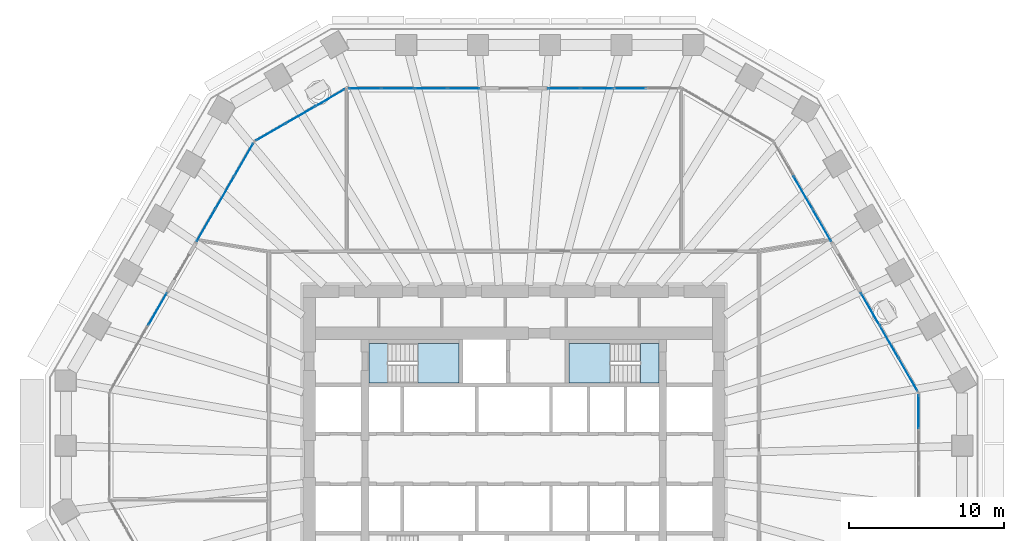
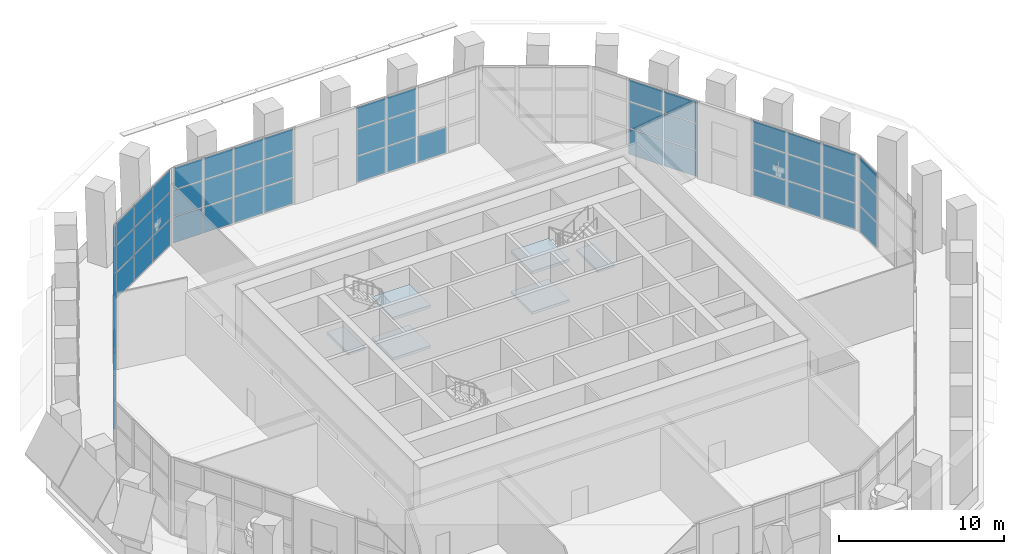
# One storey, part 12 of 22: 58 plates, 6 slabs, 10 elements without a shape of their own.
"""IFC4 building model written with IfcOpenShell, lengths in metres."""

from ifc_helpers import new_model, si_unit, direction, frame, origin, origin_2d, place, context, subcontext, project, spatial, polyline, rectangle, outline, extrude, material, layer, layer_set, type_object, element, aggregate, save


model = new_model("IFC4")

# Units and contexts
model_context = context("Model", 3, precision=1e-05, world=origin(), true_north=direction((0.0, 1.0)))
body_context = subcontext(model_context, "Body", "Model", "MODEL_VIEW")
ifc_project = project(units=[si_unit("LENGTHUNIT", "METRE"), si_unit("AREAUNIT", "SQUARE_METRE"), si_unit("VOLUMEUNIT", "CUBIC_METRE"), si_unit("PLANEANGLEUNIT", "RADIAN"), si_unit("MASSUNIT", "GRAM", prefix="KILO")], contexts=[model_context])

# Site, building, storey
site_placement = place(None, origin())
site = spatial("IfcSite", under=ifc_project, at=site_placement, CompositionType="ELEMENT")
building_placement = place(site_placement, origin())
building = spatial("IfcBuilding", under=site, at=building_placement, Name="Frailejon Research Tower", CompositionType="ELEMENT")
storey_placement = place(building_placement, frame((0.0, 0.0, 107.199951171875)))
storey = spatial("IfcBuildingStorey", under=building, at=storey_placement, Name="L23", CompositionType="ELEMENT", Elevation=107.199951171875)

# Curtain wall, plates
ifc_material_1 = material(Name="Aluminium curtain wall", Category="aluminium")
curtain_wall_type = type_object("IfcCurtainWallType", Name="Sky lobby curtain wall system", PredefinedType="NOTDEFINED", material=ifc_material_1)
curtain_wall_1_placement = place(storey_placement, origin())
curtain_wall_1 = element("IfcCurtainWall", 1, at=curtain_wall_1_placement, inside=storey, type_object=curtain_wall_type, Name="Curtain wall L23", PredefinedType="NOTDEFINED")
ifc_material_2 = material(Name="Clear laminated glass", Category="glass")
ifc_layer_1 = layer(ifc_material_2, 0.031982421875)
ifc_layer_set_1 = layer_set([ifc_layer_1], Name="Sky lobby curtain wall glass panel 32")
plate_type = type_object("IfcPlateType", Name="Sky lobby curtain wall glass panel 32", PredefinedType="CURTAIN_PANEL", material=ifc_layer_set_1)
plate_1_placement = place(storey_placement, frame((26.091796875, 3.037109375, 0.070068359375), z_axis=(0.0, 0.0, 1.0), x_axis=(0.0, 1.0, 0.0)))
plate_1 = element("IfcPlate", 2, at=plate_1_placement, type_object=plate_type, Name="CW4-081 panel 3.1", PredefinedType="CURTAIN_PANEL", context=body_context, shape_type="SweptSolid", body=[
    extrude(rectangle(XDim=2.119873046875, YDim=0.031982421875, at=origin_2d()), origin(), (0.0, 0.0, 1.0), 1.89501953125),
])
plate_2_placement = place(storey_placement, frame((26.091796875, 3.037109375, 2.03515625), z_axis=(0.0, 0.0, 1.0), x_axis=(0.0, 1.0, 0.0)))
plate_2 = element("IfcPlate", 3, at=plate_2_placement, type_object=plate_type, Name="CW4-081 panel 3.2", PredefinedType="CURTAIN_PANEL", context=body_context, shape_type="SweptSolid", body=[
    extrude(rectangle(XDim=2.119873046875, YDim=0.031982421875, at=origin_2d()), origin(), (0.0, 0.0, 1.0), 1.929931640625),
])
plate_3_placement = place(storey_placement, frame((26.091796875, 3.037109375, 4.03515625), z_axis=(0.0, 0.0, 1.0), x_axis=(0.0, 1.0, 0.0)))
plate_3 = element("IfcPlate", 4, at=plate_3_placement, type_object=plate_type, Name="CW4-081 panel 3.3", PredefinedType="CURTAIN_PANEL", context=body_context, shape_type="SweptSolid", body=[
    extrude(rectangle(XDim=2.119873046875, YDim=0.031982421875, at=origin_2d()), origin(), (0.0, 0.0, 1.0), 1.594970703125),
])
aggregate(curtain_wall_1, [plate_1, plate_2, plate_3])

curtain_wall_2_placement = place(storey_placement, origin())
curtain_wall_2 = element("IfcCurtainWall", 5, at=curtain_wall_2_placement, inside=storey, type_object=curtain_wall_type, Name="Curtain wall L23", PredefinedType="NOTDEFINED")
plate_4_placement = place(storey_placement, frame((25.41796875, 5.43408203125, 0.070068359375), z_axis=(0.0, 0.0, 1.0), x_axis=(-0.499994947925, 0.866028320581, 0.0)))
plate_4 = element("IfcPlate", 6, at=plate_4_placement, type_object=plate_type, Name="CW4-082 panel 1.1", PredefinedType="CURTAIN_PANEL", context=body_context, shape_type="SweptSolid", body=[
    extrude(rectangle(XDim=2.355224609375, YDim=0.031982421875, at=origin_2d()), origin(), (0.0, 0.0, 1.0), 1.89501953125),
])
plate_5_placement = place(storey_placement, frame((25.41796875, 5.43408203125, 2.03515625), z_axis=(0.0, 0.0, 1.0), x_axis=(-0.499994947925, 0.866028320581, 0.0)))
plate_5 = element("IfcPlate", 7, at=plate_5_placement, type_object=plate_type, Name="CW4-082 panel 1.2", PredefinedType="CURTAIN_PANEL", context=body_context, shape_type="SweptSolid", body=[
    extrude(rectangle(XDim=2.355224609375, YDim=0.031982421875, at=origin_2d()), origin(), (0.0, 0.0, 1.0), 1.929931640625),
])
plate_6_placement = place(storey_placement, frame((25.41796875, 5.43408203125, 4.03515625), z_axis=(0.0, 0.0, 1.0), x_axis=(-0.499994947925, 0.866028320581, 0.0)))
plate_6 = element("IfcPlate", 8, at=plate_6_placement, type_object=plate_type, Name="CW4-082 panel 1.3", PredefinedType="CURTAIN_PANEL", context=body_context, shape_type="SweptSolid", body=[
    extrude(rectangle(XDim=2.355224609375, YDim=0.031982421875, at=origin_2d()), origin(), (0.0, 0.0, 1.0), 1.594970703125),
])
plate_7_placement = place(storey_placement, frame((24.19677734375, 7.549560546875, 0.070068359375), z_axis=(0.0, 0.0, 1.0), x_axis=(-0.499994947925, 0.866028320581, 0.0)))
plate_7 = element("IfcPlate", 9, at=plate_7_placement, type_object=plate_type, Name="CW4-082 panel 2.1", PredefinedType="CURTAIN_PANEL", context=body_context, shape_type="SweptSolid", body=[
    extrude(rectangle(XDim=2.39013671875, YDim=0.031982421875, at=origin_2d()), origin(), (0.0, 0.0, 1.0), 1.89501953125),
])
plate_8_placement = place(storey_placement, frame((24.19677734375, 7.549560546875, 2.03515625), z_axis=(0.0, 0.0, 1.0), x_axis=(-0.499994947925, 0.866028320581, 0.0)))
plate_8 = element("IfcPlate", 10, at=plate_8_placement, type_object=plate_type, Name="CW4-082 panel 2.2", PredefinedType="CURTAIN_PANEL", context=body_context, shape_type="SweptSolid", body=[
    extrude(rectangle(XDim=2.39013671875, YDim=0.031982421875, at=origin_2d()), origin(), (0.0, 0.0, 1.0), 1.929931640625),
])
plate_9_placement = place(storey_placement, frame((24.19677734375, 7.549560546875, 4.03515625), z_axis=(0.0, 0.0, 1.0), x_axis=(-0.499994947925, 0.866028320581, 0.0)))
plate_9 = element("IfcPlate", 11, at=plate_9_placement, type_object=plate_type, Name="CW4-082 panel 2.3", PredefinedType="CURTAIN_PANEL", context=body_context, shape_type="SweptSolid", body=[
    extrude(rectangle(XDim=2.39013671875, YDim=0.031982421875, at=origin_2d()), origin(), (0.0, 0.0, 1.0), 1.594970703125),
])
plate_10_placement = place(storey_placement, frame((22.975341796875, 9.664794921875, 0.070068359375), z_axis=(0.0, 0.0, 1.0), x_axis=(-0.499994947925, 0.866028320581, 0.0)))
plate_10 = element("IfcPlate", 12, at=plate_10_placement, type_object=plate_type, Name="CW4-082 panel 3.1", PredefinedType="CURTAIN_PANEL", context=body_context, shape_type="SweptSolid", body=[
    extrude(rectangle(XDim=2.355224609375, YDim=0.031982421875, at=origin_2d()), origin(), (0.0, 0.0, 1.0), 1.89501953125),
])
plate_11_placement = place(storey_placement, frame((22.975341796875, 9.664794921875, 2.03515625), z_axis=(0.0, 0.0, 1.0), x_axis=(-0.499994947925, 0.866028320581, 0.0)))
plate_11 = element("IfcPlate", 13, at=plate_11_placement, type_object=plate_type, Name="CW4-082 panel 3.2", PredefinedType="CURTAIN_PANEL", context=body_context, shape_type="SweptSolid", body=[
    extrude(rectangle(XDim=2.355224609375, YDim=0.031982421875, at=origin_2d()), origin(), (0.0, 0.0, 1.0), 1.929931640625),
])
plate_12_placement = place(storey_placement, frame((22.975341796875, 9.664794921875, 4.03515625), z_axis=(0.0, 0.0, 1.0), x_axis=(-0.499994947925, 0.866028320581, 0.0)))
plate_12 = element("IfcPlate", 14, at=plate_12_placement, type_object=plate_type, Name="CW4-082 panel 3.3", PredefinedType="CURTAIN_PANEL", context=body_context, shape_type="SweptSolid", body=[
    extrude(rectangle(XDim=2.355224609375, YDim=0.031982421875, at=origin_2d()), origin(), (0.0, 0.0, 1.0), 1.594970703125),
])
aggregate(curtain_wall_2, [plate_4, plate_5, plate_6, plate_7, plate_8, plate_9, plate_10, plate_11, plate_12])

curtain_wall_3_placement = place(storey_placement, origin())
curtain_wall_3 = element("IfcCurtainWall", 15, at=curtain_wall_3_placement, inside=storey, type_object=curtain_wall_type, Name="Curtain wall L23", PredefinedType="NOTDEFINED")
plate_13_placement = place(storey_placement, frame((19.857666015625, 15.06494140625, 0.070068359375), z_axis=(0.0, 0.0, 1.0), x_axis=(-0.499994947925, 0.866028320581, 0.0)))
plate_13 = element("IfcPlate", 16, at=plate_13_placement, type_object=plate_type, Name="CW4-083 panel 1.1", PredefinedType="CURTAIN_PANEL", context=body_context, shape_type="SweptSolid", body=[
    extrude(rectangle(XDim=2.355224609375, YDim=0.031982421875, at=origin_2d()), origin(), (0.0, 0.0, 1.0), 1.89501953125),
])
plate_14_placement = place(storey_placement, frame((19.857666015625, 15.06494140625, 2.03515625), z_axis=(0.0, 0.0, 1.0), x_axis=(-0.499994947925, 0.866028320581, 0.0)))
plate_14 = element("IfcPlate", 17, at=plate_14_placement, type_object=plate_type, Name="CW4-083 panel 1.2", PredefinedType="CURTAIN_PANEL", context=body_context, shape_type="SweptSolid", body=[
    extrude(rectangle(XDim=2.355224609375, YDim=0.031982421875, at=origin_2d()), origin(), (0.0, 0.0, 1.0), 1.929931640625),
])
plate_15_placement = place(storey_placement, frame((19.857666015625, 15.06494140625, 4.03515625), z_axis=(0.0, 0.0, 1.0), x_axis=(-0.499994947925, 0.866028320581, 0.0)))
plate_15 = element("IfcPlate", 18, at=plate_15_placement, type_object=plate_type, Name="CW4-083 panel 1.3", PredefinedType="CURTAIN_PANEL", context=body_context, shape_type="SweptSolid", body=[
    extrude(rectangle(XDim=2.355224609375, YDim=0.031982421875, at=origin_2d()), origin(), (0.0, 0.0, 1.0), 1.594970703125),
])
plate_16_placement = place(storey_placement, frame((18.63623046875, 17.18017578125, 0.070068359375), z_axis=(0.0, 0.0, 1.0), x_axis=(-0.499994947925, 0.866028320581, 0.0)))
plate_16 = element("IfcPlate", 19, at=plate_16_placement, type_object=plate_type, Name="CW4-083 panel 2.1", PredefinedType="CURTAIN_PANEL", context=body_context, shape_type="SweptSolid", body=[
    extrude(rectangle(XDim=2.39013671875, YDim=0.031982421875, at=origin_2d()), origin(), (0.0, 0.0, 1.0), 1.89501953125),
])
plate_17_placement = place(storey_placement, frame((18.63623046875, 17.18017578125, 2.03515625), z_axis=(0.0, 0.0, 1.0), x_axis=(-0.499994947925, 0.866028320581, 0.0)))
plate_17 = element("IfcPlate", 20, at=plate_17_placement, type_object=plate_type, Name="CW4-083 panel 2.2", PredefinedType="CURTAIN_PANEL", context=body_context, shape_type="SweptSolid", body=[
    extrude(rectangle(XDim=2.39013671875, YDim=0.031982421875, at=origin_2d()), origin(), (0.0, 0.0, 1.0), 1.929931640625),
])
plate_18_placement = place(storey_placement, frame((18.63623046875, 17.18017578125, 4.03515625), z_axis=(0.0, 0.0, 1.0), x_axis=(-0.499994947925, 0.866028320581, 0.0)))
plate_18 = element("IfcPlate", 21, at=plate_18_placement, type_object=plate_type, Name="CW4-083 panel 2.3", PredefinedType="CURTAIN_PANEL", context=body_context, shape_type="SweptSolid", body=[
    extrude(rectangle(XDim=2.39013671875, YDim=0.031982421875, at=origin_2d()), origin(), (0.0, 0.0, 1.0), 1.594970703125),
])
aggregate(curtain_wall_3, [plate_13, plate_14, plate_15, plate_16, plate_17, plate_18])

curtain_wall_4_placement = place(storey_placement, origin())
curtain_wall_4 = element("IfcCurtainWall", 22, at=curtain_wall_4_placement, inside=storey, type_object=curtain_wall_type, Name="Curtain wall L23", PredefinedType="NOTDEFINED")
plate_19_placement = place(storey_placement, frame((7.48876953125, 23.89990234375, 0.070068359375), z_axis=(0.0, 0.0, 1.0), x_axis=(-1.0, 0.0, 0.0)))
plate_19 = element("IfcPlate", 23, at=plate_19_placement, type_object=plate_type, Name="CW4-085 panel 2.1", PredefinedType="CURTAIN_PANEL", context=body_context, shape_type="SweptSolid", body=[
    extrude(rectangle(XDim=2.0625, YDim=0.031982421875, at=origin_2d()), origin(), (0.0, 0.0, 1.0), 1.89501953125),
])
plate_20_placement = place(storey_placement, frame((5.356201171875, 23.89990234375, 0.070068359375), z_axis=(0.0, 0.0, 1.0), x_axis=(-1.0, 0.0, 0.0)))
plate_20 = element("IfcPlate", 24, at=plate_20_placement, type_object=plate_type, Name="CW4-085 panel 3.1", PredefinedType="CURTAIN_PANEL", context=body_context, shape_type="SweptSolid", body=[
    extrude(rectangle(XDim=2.0625, YDim=0.031982421875, at=origin_2d()), origin(), (0.0, 0.0, 1.0), 1.89501953125),
])
plate_21_placement = place(storey_placement, frame((5.356201171875, 23.89990234375, 2.03515625), z_axis=(0.0, 0.0, 1.0), x_axis=(-1.0, 0.0, 0.0)))
plate_21 = element("IfcPlate", 25, at=plate_21_placement, type_object=plate_type, Name="CW4-085 panel 3.2", PredefinedType="CURTAIN_PANEL", context=body_context, shape_type="SweptSolid", body=[
    extrude(rectangle(XDim=2.0625, YDim=0.031982421875, at=origin_2d()), origin(), (0.0, 0.0, 1.0), 1.929931640625),
])
plate_22_placement = place(storey_placement, frame((5.356201171875, 23.89990234375, 4.03515625), z_axis=(0.0, 0.0, 1.0), x_axis=(-1.0, 0.0, 0.0)))
plate_22 = element("IfcPlate", 26, at=plate_22_placement, type_object=plate_type, Name="CW4-085 panel 3.3", PredefinedType="CURTAIN_PANEL", context=body_context, shape_type="SweptSolid", body=[
    extrude(rectangle(XDim=2.0625, YDim=0.031982421875, at=origin_2d()), origin(), (0.0, 0.0, 1.0), 1.594970703125),
])
plate_23_placement = place(storey_placement, frame((3.2412109375, 23.89990234375, 0.070068359375), z_axis=(0.0, 0.0, 1.0), x_axis=(-1.0, 0.0, 0.0)))
plate_23 = element("IfcPlate", 27, at=plate_23_placement, type_object=plate_type, Name="CW4-085 panel 4.1", PredefinedType="CURTAIN_PANEL", context=body_context, shape_type="SweptSolid", body=[
    extrude(rectangle(XDim=2.027587890625, YDim=0.031982421875, at=origin_2d()), origin(), (0.0, 0.0, 1.0), 1.89501953125),
])
plate_24_placement = place(storey_placement, frame((3.2412109375, 23.89990234375, 2.03515625), z_axis=(0.0, 0.0, 1.0), x_axis=(-1.0, 0.0, 0.0)))
plate_24 = element("IfcPlate", 28, at=plate_24_placement, type_object=plate_type, Name="CW4-085 panel 4.2", PredefinedType="CURTAIN_PANEL", context=body_context, shape_type="SweptSolid", body=[
    extrude(rectangle(XDim=2.027587890625, YDim=0.031982421875, at=origin_2d()), origin(), (0.0, 0.0, 1.0), 1.929931640625),
])
plate_25_placement = place(storey_placement, frame((3.2412109375, 23.89990234375, 4.03515625), z_axis=(0.0, 0.0, 1.0), x_axis=(-1.0, 0.0, 0.0)))
plate_25 = element("IfcPlate", 29, at=plate_25_placement, type_object=plate_type, Name="CW4-085 panel 4.3", PredefinedType="CURTAIN_PANEL", context=body_context, shape_type="SweptSolid", body=[
    extrude(rectangle(XDim=2.027587890625, YDim=0.031982421875, at=origin_2d()), origin(), (0.0, 0.0, 1.0), 1.594970703125),
])
aggregate(curtain_wall_4, [plate_19, plate_20, plate_21, plate_22, plate_23, plate_24, plate_25])

curtain_wall_5_placement = place(storey_placement, origin())
curtain_wall_5 = element("IfcCurtainWall", 30, at=curtain_wall_5_placement, inside=storey, type_object=curtain_wall_type, Name="Curtain wall L23", PredefinedType="NOTDEFINED")
plate_26_placement = place(storey_placement, frame((-3.2412109375, 23.89990234375, 0.070068359375), z_axis=(0.0, 0.0, 1.0), x_axis=(-1.0, 0.0, 0.0)))
plate_26 = element("IfcPlate", 31, at=plate_26_placement, type_object=plate_type, Name="CW4-086 panel 1.1", PredefinedType="CURTAIN_PANEL", context=body_context, shape_type="SweptSolid", body=[
    extrude(rectangle(XDim=2.027587890625, YDim=0.031982421875, at=origin_2d()), origin(), (0.0, 0.0, 1.0), 1.89501953125),
])
plate_27_placement = place(storey_placement, frame((-3.2412109375, 23.89990234375, 2.03515625), z_axis=(0.0, 0.0, 1.0), x_axis=(-1.0, 0.0, 0.0)))
plate_27 = element("IfcPlate", 32, at=plate_27_placement, type_object=plate_type, Name="CW4-086 panel 1.2", PredefinedType="CURTAIN_PANEL", context=body_context, shape_type="SweptSolid", body=[
    extrude(rectangle(XDim=2.027587890625, YDim=0.031982421875, at=origin_2d()), origin(), (0.0, 0.0, 1.0), 1.929931640625),
])
plate_28_placement = place(storey_placement, frame((-3.2412109375, 23.89990234375, 4.03515625), z_axis=(0.0, 0.0, 1.0), x_axis=(-1.0, 0.0, 0.0)))
plate_28 = element("IfcPlate", 33, at=plate_28_placement, type_object=plate_type, Name="CW4-086 panel 1.3", PredefinedType="CURTAIN_PANEL", context=body_context, shape_type="SweptSolid", body=[
    extrude(rectangle(XDim=2.027587890625, YDim=0.031982421875, at=origin_2d()), origin(), (0.0, 0.0, 1.0), 1.594970703125),
])
plate_29_placement = place(storey_placement, frame((-5.356201171875, 23.89990234375, 0.070068359375), z_axis=(0.0, 0.0, 1.0), x_axis=(-1.0, 0.0, 0.0)))
plate_29 = element("IfcPlate", 34, at=plate_29_placement, type_object=plate_type, Name="CW4-086 panel 2.1", PredefinedType="CURTAIN_PANEL", context=body_context, shape_type="SweptSolid", body=[
    extrude(rectangle(XDim=2.0625, YDim=0.031982421875, at=origin_2d()), origin(), (0.0, 0.0, 1.0), 1.89501953125),
])
plate_30_placement = place(storey_placement, frame((-5.356201171875, 23.89990234375, 2.03515625), z_axis=(0.0, 0.0, 1.0), x_axis=(-1.0, 0.0, 0.0)))
plate_30 = element("IfcPlate", 35, at=plate_30_placement, type_object=plate_type, Name="CW4-086 panel 2.2", PredefinedType="CURTAIN_PANEL", context=body_context, shape_type="SweptSolid", body=[
    extrude(rectangle(XDim=2.0625, YDim=0.031982421875, at=origin_2d()), origin(), (0.0, 0.0, 1.0), 1.929931640625),
])
plate_31_placement = place(storey_placement, frame((-5.356201171875, 23.89990234375, 4.03515625), z_axis=(0.0, 0.0, 1.0), x_axis=(-1.0, 0.0, 0.0)))
plate_31 = element("IfcPlate", 36, at=plate_31_placement, type_object=plate_type, Name="CW4-086 panel 2.3", PredefinedType="CURTAIN_PANEL", context=body_context, shape_type="SweptSolid", body=[
    extrude(rectangle(XDim=2.0625, YDim=0.031982421875, at=origin_2d()), origin(), (0.0, 0.0, 1.0), 1.594970703125),
])
plate_32_placement = place(storey_placement, frame((-7.48876953125, 23.89990234375, 0.070068359375), z_axis=(0.0, 0.0, 1.0), x_axis=(-1.0, 0.0, 0.0)))
plate_32 = element("IfcPlate", 37, at=plate_32_placement, type_object=plate_type, Name="CW4-086 panel 3.1", PredefinedType="CURTAIN_PANEL", context=body_context, shape_type="SweptSolid", body=[
    extrude(rectangle(XDim=2.0625, YDim=0.031982421875, at=origin_2d()), origin(), (0.0, 0.0, 1.0), 1.89501953125),
])
plate_33_placement = place(storey_placement, frame((-7.48876953125, 23.89990234375, 2.03515625), z_axis=(0.0, 0.0, 1.0), x_axis=(-1.0, 0.0, 0.0)))
plate_33 = element("IfcPlate", 38, at=plate_33_placement, type_object=plate_type, Name="CW4-086 panel 3.2", PredefinedType="CURTAIN_PANEL", context=body_context, shape_type="SweptSolid", body=[
    extrude(rectangle(XDim=2.0625, YDim=0.031982421875, at=origin_2d()), origin(), (0.0, 0.0, 1.0), 1.929931640625),
])
plate_34_placement = place(storey_placement, frame((-7.48876953125, 23.89990234375, 4.03515625), z_axis=(0.0, 0.0, 1.0), x_axis=(-1.0, 0.0, 0.0)))
plate_34 = element("IfcPlate", 39, at=plate_34_placement, type_object=plate_type, Name="CW4-086 panel 3.3", PredefinedType="CURTAIN_PANEL", context=body_context, shape_type="SweptSolid", body=[
    extrude(rectangle(XDim=2.0625, YDim=0.031982421875, at=origin_2d()), origin(), (0.0, 0.0, 1.0), 1.594970703125),
])
plate_35_placement = place(storey_placement, frame((-9.603759765625, 23.89990234375, 0.070068359375), z_axis=(0.0, 0.0, 1.0), x_axis=(-1.0, 0.0, 0.0)))
plate_35 = element("IfcPlate", 40, at=plate_35_placement, type_object=plate_type, Name="CW4-086 panel 4.1", PredefinedType="CURTAIN_PANEL", context=body_context, shape_type="SweptSolid", body=[
    extrude(rectangle(XDim=2.027587890625, YDim=0.031982421875, at=origin_2d()), origin(), (0.0, 0.0, 1.0), 1.89501953125),
])
plate_36_placement = place(storey_placement, frame((-9.603759765625, 23.89990234375, 2.03515625), z_axis=(0.0, 0.0, 1.0), x_axis=(-1.0, 0.0, 0.0)))
plate_36 = element("IfcPlate", 41, at=plate_36_placement, type_object=plate_type, Name="CW4-086 panel 4.2", PredefinedType="CURTAIN_PANEL", context=body_context, shape_type="SweptSolid", body=[
    extrude(rectangle(XDim=2.027587890625, YDim=0.031982421875, at=origin_2d()), origin(), (0.0, 0.0, 1.0), 1.929931640625),
])
plate_37_placement = place(storey_placement, frame((-9.603759765625, 23.89990234375, 4.03515625), z_axis=(0.0, 0.0, 1.0), x_axis=(-1.0, 0.0, 0.0)))
plate_37 = element("IfcPlate", 42, at=plate_37_placement, type_object=plate_type, Name="CW4-086 panel 4.3", PredefinedType="CURTAIN_PANEL", context=body_context, shape_type="SweptSolid", body=[
    extrude(rectangle(XDim=2.027587890625, YDim=0.031982421875, at=origin_2d()), origin(), (0.0, 0.0, 1.0), 1.594970703125),
])
aggregate(curtain_wall_5, [plate_26, plate_27, plate_28, plate_29, plate_30, plate_31, plate_32, plate_33, plate_34, plate_35, plate_36, plate_37])

curtain_wall_6_placement = place(storey_placement, origin())
curtain_wall_6 = element("IfcCurtainWall", 43, at=curtain_wall_6_placement, inside=storey, type_object=curtain_wall_type, Name="Curtain wall L23", PredefinedType="NOTDEFINED")
plate_38_placement = place(storey_placement, frame((-11.852783203125, 23.284912109375, 0.070068359375), z_axis=(0.0, 0.0, 1.0), x_axis=(-0.866026409075, -0.499998258782, 0.0)))
plate_38 = element("IfcPlate", 44, at=plate_38_placement, type_object=plate_type, Name="CW4-087 panel 1.1", PredefinedType="CURTAIN_PANEL", context=body_context, shape_type="SweptSolid", body=[
    extrude(rectangle(XDim=2.119873046875, YDim=0.031982421875, at=origin_2d()), origin(), (0.0, 0.0, 1.0), 1.89501953125),
])
plate_39_placement = place(storey_placement, frame((-11.852783203125, 23.284912109375, 2.03515625), z_axis=(0.0, 0.0, 1.0), x_axis=(-0.866026409075, -0.499998258782, 0.0)))
plate_39 = element("IfcPlate", 45, at=plate_39_placement, type_object=plate_type, Name="CW4-087 panel 1.2", PredefinedType="CURTAIN_PANEL", context=body_context, shape_type="SweptSolid", body=[
    extrude(rectangle(XDim=2.119873046875, YDim=0.031982421875, at=origin_2d()), origin(), (0.0, 0.0, 1.0), 1.929931640625),
])
plate_40_placement = place(storey_placement, frame((-11.852783203125, 23.284912109375, 4.03515625), z_axis=(0.0, 0.0, 1.0), x_axis=(-0.866026409075, -0.499998258782, 0.0)))
plate_40 = element("IfcPlate", 46, at=plate_40_placement, type_object=plate_type, Name="CW4-087 panel 1.3", PredefinedType="CURTAIN_PANEL", context=body_context, shape_type="SweptSolid", body=[
    extrude(rectangle(XDim=2.119873046875, YDim=0.031982421875, at=origin_2d()), origin(), (0.0, 0.0, 1.0), 1.594970703125),
])
plate_41_placement = place(storey_placement, frame((-13.764404296875, 22.181396484375, 0.070068359375), z_axis=(0.0, 0.0, 1.0), x_axis=(-0.866026409075, -0.499998258782, 0.0)))
plate_41 = element("IfcPlate", 47, at=plate_41_placement, type_object=plate_type, Name="CW4-087 panel 2.1", PredefinedType="CURTAIN_PANEL", context=body_context, shape_type="SweptSolid", body=[
    extrude(rectangle(XDim=2.15478515625, YDim=0.031982421875, at=origin_2d()), origin(), (0.0, 0.0, 1.0), 1.89501953125),
])
plate_42_placement = place(storey_placement, frame((-13.764404296875, 22.181396484375, 2.03515625), z_axis=(0.0, 0.0, 1.0), x_axis=(-0.866026409075, -0.499998258782, 0.0)))
plate_42 = element("IfcPlate", 48, at=plate_42_placement, type_object=plate_type, Name="CW4-087 panel 2.2", PredefinedType="CURTAIN_PANEL", context=body_context, shape_type="SweptSolid", body=[
    extrude(rectangle(XDim=2.15478515625, YDim=0.031982421875, at=origin_2d()), origin(), (0.0, 0.0, 1.0), 1.929931640625),
])
plate_43_placement = place(storey_placement, frame((-13.764404296875, 22.181396484375, 4.03515625), z_axis=(0.0, 0.0, 1.0), x_axis=(-0.866026409075, -0.499998258782, 0.0)))
plate_43 = element("IfcPlate", 49, at=plate_43_placement, type_object=plate_type, Name="CW4-087 panel 2.3", PredefinedType="CURTAIN_PANEL", context=body_context, shape_type="SweptSolid", body=[
    extrude(rectangle(XDim=2.15478515625, YDim=0.031982421875, at=origin_2d()), origin(), (0.0, 0.0, 1.0), 1.594970703125),
])
plate_44_placement = place(storey_placement, frame((-15.676025390625, 21.07763671875, 0.070068359375), z_axis=(0.0, 0.0, 1.0), x_axis=(-0.866026409075, -0.499998258782, 0.0)))
plate_44 = element("IfcPlate", 50, at=plate_44_placement, type_object=plate_type, Name="CW4-087 panel 3.1", PredefinedType="CURTAIN_PANEL", context=body_context, shape_type="SweptSolid", body=[
    extrude(rectangle(XDim=2.119873046875, YDim=0.031982421875, at=origin_2d()), origin(), (0.0, 0.0, 1.0), 1.89501953125),
])
plate_45_placement = place(storey_placement, frame((-15.676025390625, 21.07763671875, 2.03515625), z_axis=(0.0, 0.0, 1.0), x_axis=(-0.866026409075, -0.499998258782, 0.0)))
plate_45 = element("IfcPlate", 51, at=plate_45_placement, type_object=plate_type, Name="CW4-087 panel 3.2", PredefinedType="CURTAIN_PANEL", context=body_context, shape_type="SweptSolid", body=[
    extrude(rectangle(XDim=2.119873046875, YDim=0.031982421875, at=origin_2d()), origin(), (0.0, 0.0, 1.0), 1.929931640625),
])
plate_46_placement = place(storey_placement, frame((-15.676025390625, 21.07763671875, 4.03515625), z_axis=(0.0, 0.0, 1.0), x_axis=(-0.866026409075, -0.499998258782, 0.0)))
plate_46 = element("IfcPlate", 52, at=plate_46_placement, type_object=plate_type, Name="CW4-087 panel 3.3", PredefinedType="CURTAIN_PANEL", context=body_context, shape_type="SweptSolid", body=[
    extrude(rectangle(XDim=2.119873046875, YDim=0.031982421875, at=origin_2d()), origin(), (0.0, 0.0, 1.0), 1.594970703125),
])
aggregate(curtain_wall_6, [plate_38, plate_39, plate_40, plate_41, plate_42, plate_43, plate_44, plate_45, plate_46])

curtain_wall_7_placement = place(storey_placement, origin())
curtain_wall_7 = element("IfcCurtainWall", 53, at=curtain_wall_7_placement, inside=storey, type_object=curtain_wall_type, Name="Curtain wall L23", PredefinedType="NOTDEFINED")
plate_47_placement = place(storey_placement, frame((-17.4150390625, 19.295654296875, 0.070068359375), z_axis=(0.0, 0.0, 1.0), x_axis=(-0.499994947925, -0.866028320581, 0.0)))
plate_47 = element("IfcPlate", 54, at=plate_47_placement, type_object=plate_type, Name="CW4-088 panel 1.1", PredefinedType="CURTAIN_PANEL", context=body_context, shape_type="SweptSolid", body=[
    extrude(rectangle(XDim=2.355224609375, YDim=0.031982421875, at=origin_2d()), origin(), (0.0, 0.0, 1.0), 1.89501953125),
])
plate_48_placement = place(storey_placement, frame((-17.4150390625, 19.295654296875, 2.03515625), z_axis=(0.0, 0.0, 1.0), x_axis=(-0.499994947925, -0.866028320581, 0.0)))
plate_48 = element("IfcPlate", 55, at=plate_48_placement, type_object=plate_type, Name="CW4-088 panel 1.2", PredefinedType="CURTAIN_PANEL", context=body_context, shape_type="SweptSolid", body=[
    extrude(rectangle(XDim=2.355224609375, YDim=0.031982421875, at=origin_2d()), origin(), (0.0, 0.0, 1.0), 1.929931640625),
])
plate_49_placement = place(storey_placement, frame((-17.4150390625, 19.295654296875, 4.03515625), z_axis=(0.0, 0.0, 1.0), x_axis=(-0.499994947925, -0.866028320581, 0.0)))
plate_49 = element("IfcPlate", 56, at=plate_49_placement, type_object=plate_type, Name="CW4-088 panel 1.3", PredefinedType="CURTAIN_PANEL", context=body_context, shape_type="SweptSolid", body=[
    extrude(rectangle(XDim=2.355224609375, YDim=0.031982421875, at=origin_2d()), origin(), (0.0, 0.0, 1.0), 1.594970703125),
])
plate_50_placement = place(storey_placement, frame((-18.63623046875, 17.18017578125, 0.070068359375), z_axis=(0.0, 0.0, 1.0), x_axis=(-0.499994947925, -0.866028320581, 0.0)))
plate_50 = element("IfcPlate", 57, at=plate_50_placement, type_object=plate_type, Name="CW4-088 panel 2.1", PredefinedType="CURTAIN_PANEL", context=body_context, shape_type="SweptSolid", body=[
    extrude(rectangle(XDim=2.39013671875, YDim=0.031982421875, at=origin_2d()), origin(), (0.0, 0.0, 1.0), 1.89501953125),
])
plate_51_placement = place(storey_placement, frame((-18.63623046875, 17.18017578125, 2.03515625), z_axis=(0.0, 0.0, 1.0), x_axis=(-0.499994947925, -0.866028320581, 0.0)))
plate_51 = element("IfcPlate", 58, at=plate_51_placement, type_object=plate_type, Name="CW4-088 panel 2.2", PredefinedType="CURTAIN_PANEL", context=body_context, shape_type="SweptSolid", body=[
    extrude(rectangle(XDim=2.39013671875, YDim=0.031982421875, at=origin_2d()), origin(), (0.0, 0.0, 1.0), 1.929931640625),
])
plate_52_placement = place(storey_placement, frame((-18.63623046875, 17.18017578125, 4.03515625), z_axis=(0.0, 0.0, 1.0), x_axis=(-0.499994947925, -0.866028320581, 0.0)))
plate_52 = element("IfcPlate", 59, at=plate_52_placement, type_object=plate_type, Name="CW4-088 panel 2.3", PredefinedType="CURTAIN_PANEL", context=body_context, shape_type="SweptSolid", body=[
    extrude(rectangle(XDim=2.39013671875, YDim=0.031982421875, at=origin_2d()), origin(), (0.0, 0.0, 1.0), 1.594970703125),
])
plate_53_placement = place(storey_placement, frame((-19.857666015625, 15.06494140625, 0.070068359375), z_axis=(0.0, 0.0, 1.0), x_axis=(-0.499994947925, -0.866028320581, 0.0)))
plate_53 = element("IfcPlate", 60, at=plate_53_placement, type_object=plate_type, Name="CW4-088 panel 3.1", PredefinedType="CURTAIN_PANEL", context=body_context, shape_type="SweptSolid", body=[
    extrude(rectangle(XDim=2.355224609375, YDim=0.031982421875, at=origin_2d()), origin(), (0.0, 0.0, 1.0), 1.89501953125),
])
plate_54_placement = place(storey_placement, frame((-19.857666015625, 15.06494140625, 2.03515625), z_axis=(0.0, 0.0, 1.0), x_axis=(-0.499994947925, -0.866028320581, 0.0)))
plate_54 = element("IfcPlate", 61, at=plate_54_placement, type_object=plate_type, Name="CW4-088 panel 3.2", PredefinedType="CURTAIN_PANEL", context=body_context, shape_type="SweptSolid", body=[
    extrude(rectangle(XDim=2.355224609375, YDim=0.031982421875, at=origin_2d()), origin(), (0.0, 0.0, 1.0), 1.929931640625),
])
plate_55_placement = place(storey_placement, frame((-19.857666015625, 15.06494140625, 4.03515625), z_axis=(0.0, 0.0, 1.0), x_axis=(-0.499994947925, -0.866028320581, 0.0)))
plate_55 = element("IfcPlate", 62, at=plate_55_placement, type_object=plate_type, Name="CW4-088 panel 3.3", PredefinedType="CURTAIN_PANEL", context=body_context, shape_type="SweptSolid", body=[
    extrude(rectangle(XDim=2.355224609375, YDim=0.031982421875, at=origin_2d()), origin(), (0.0, 0.0, 1.0), 1.594970703125),
])
aggregate(curtain_wall_7, [plate_47, plate_48, plate_49, plate_50, plate_51, plate_52, plate_53, plate_54, plate_55])

curtain_wall_8_placement = place(storey_placement, origin())
curtain_wall_8 = element("IfcCurtainWall", 63, at=curtain_wall_8_placement, inside=storey, type_object=curtain_wall_type, Name="Curtain wall L23", PredefinedType="NOTDEFINED")
plate_56_placement = place(storey_placement, frame((-22.975341796875, 9.664794921875, 0.070068359375), z_axis=(0.0, 0.0, 1.0), x_axis=(-0.499994947925, -0.866028320581, 0.0)))
plate_56 = element("IfcPlate", 64, at=plate_56_placement, type_object=plate_type, Name="CW4-089 panel 1.1", PredefinedType="CURTAIN_PANEL", context=body_context, shape_type="SweptSolid", body=[
    extrude(rectangle(XDim=2.355224609375, YDim=0.031982421875, at=origin_2d()), origin(), (0.0, 0.0, 1.0), 1.89501953125),
])
plate_57_placement = place(storey_placement, frame((-22.975341796875, 9.664794921875, 2.03515625), z_axis=(0.0, 0.0, 1.0), x_axis=(-0.499994947925, -0.866028320581, 0.0)))
plate_57 = element("IfcPlate", 65, at=plate_57_placement, type_object=plate_type, Name="CW4-089 panel 1.2", PredefinedType="CURTAIN_PANEL", context=body_context, shape_type="SweptSolid", body=[
    extrude(rectangle(XDim=2.355224609375, YDim=0.031982421875, at=origin_2d()), origin(), (0.0, 0.0, 1.0), 1.929931640625),
])
plate_58_placement = place(storey_placement, frame((-22.975341796875, 9.664794921875, 4.03515625), z_axis=(0.0, 0.0, 1.0), x_axis=(-0.499994947925, -0.866028320581, 0.0)))
plate_58 = element("IfcPlate", 66, at=plate_58_placement, type_object=plate_type, Name="CW4-089 panel 1.3", PredefinedType="CURTAIN_PANEL", context=body_context, shape_type="SweptSolid", body=[
    extrude(rectangle(XDim=2.355224609375, YDim=0.031982421875, at=origin_2d()), origin(), (0.0, 0.0, 1.0), 1.594970703125),
])
aggregate(curtain_wall_8, [plate_56, plate_57, plate_58])

# Stair, slabs
ifc_material_3 = material(Name="Concrete C50/60", Category="concrete")
stair_type = type_object("IfcStairType", Name="Exit stair 32 risers", PredefinedType="HALF_TURN_STAIR", material=ifc_material_3)
stair_1_placement = place(storey_placement, origin())
stair_1 = element("IfcStair", 67, at=stair_1_placement, inside=storey, type_object=stair_type, Name="L23 Exit stair ST1", PredefinedType="HALF_TURN_STAIR")
ifc_material_4 = material(Name="Concrete C50/60", Category="concrete")
ifc_layer_2 = layer(ifc_material_4, 0.199951171875)
ifc_layer_set_2 = layer_set([ifc_layer_2], Name="Stair landing slab 200")
slab_type = type_object("IfcSlabType", Name="Stair landing slab 200", PredefinedType="LANDING", material=ifc_layer_set_2)
slab_1_placement = place(storey_placement, frame((0.0, 0.0, 1.300048828125)))
slab_1 = element("IfcSlab", 68, at=slab_1_placement, type_object=slab_type, Name="ST1 landing 1", PredefinedType="LANDING", context=body_context, shape_type="SweptSolid", body=[
    extrude(outline(polyline([(-6.18994140625, 4.89990234375), (-3.550048828125, 4.89990234375), (-3.550048828125, 7.449951171875), (-6.18994140625, 7.449951171875), (-6.18994140625, 4.89990234375)])), origin(), (0.0, 0.0, 1.0), 0.199951171875),
])
slab_2_placement = place(storey_placement, frame((0.0, 0.0, 2.800048828125)))
slab_2 = element("IfcSlab", 69, at=slab_2_placement, type_object=slab_type, Name="ST1 landing 2", PredefinedType="LANDING", context=body_context, shape_type="SweptSolid", body=[
    extrude(outline(polyline([(-9.35009765625, 4.89990234375), (-8.14990234375, 4.89990234375), (-8.14990234375, 7.449951171875), (-9.35009765625, 7.449951171875), (-9.35009765625, 4.89990234375)])), origin(), (0.0, 0.0, 1.0), 0.199951171875),
])
slab_3_placement = place(storey_placement, frame((0.0, 0.0, 4.300048828125)))
slab_3 = element("IfcSlab", 70, at=slab_3_placement, type_object=slab_type, Name="ST1 landing 3", PredefinedType="LANDING", context=body_context, shape_type="SweptSolid", body=[
    extrude(outline(polyline([(-6.18994140625, 4.89990234375), (-3.550048828125, 4.89990234375), (-3.550048828125, 7.449951171875), (-6.18994140625, 7.449951171875), (-6.18994140625, 4.89990234375)])), origin(), (0.0, 0.0, 1.0), 0.199951171875),
])
aggregate(stair_1, [slab_1, slab_2, slab_3])

stair_2_placement = place(storey_placement, origin())
stair_2 = element("IfcStair", 71, at=stair_2_placement, inside=storey, type_object=stair_type, Name="L23 Exit stair ST3", PredefinedType="HALF_TURN_STAIR")
slab_4_placement = place(storey_placement, frame((0.0, 0.0, 1.300048828125)))
slab_4 = element("IfcSlab", 72, at=slab_4_placement, type_object=slab_type, Name="ST3 landing 1", PredefinedType="LANDING", context=body_context, shape_type="SweptSolid", body=[
    extrude(outline(polyline([(6.18994140625, 7.449951171875), (3.550048828125, 7.449951171875), (3.550048828125, 4.89990234375), (6.18994140625, 4.89990234375), (6.18994140625, 7.449951171875)])), origin(), (0.0, 0.0, 1.0), 0.199951171875),
])
slab_5_placement = place(storey_placement, frame((0.0, 0.0, 2.800048828125)))
slab_5 = element("IfcSlab", 73, at=slab_5_placement, type_object=slab_type, Name="ST3 landing 2", PredefinedType="LANDING", context=body_context, shape_type="SweptSolid", body=[
    extrude(outline(polyline([(9.35009765625, 7.449951171875), (8.14990234375, 7.449951171875), (8.14990234375, 4.89990234375), (9.35009765625, 4.89990234375), (9.35009765625, 7.449951171875)])), origin(), (0.0, 0.0, 1.0), 0.199951171875),
])
slab_6_placement = place(storey_placement, frame((0.0, 0.0, 4.300048828125)))
slab_6 = element("IfcSlab", 74, at=slab_6_placement, type_object=slab_type, Name="ST3 landing 3", PredefinedType="LANDING", context=body_context, shape_type="SweptSolid", body=[
    extrude(outline(polyline([(6.18994140625, 7.449951171875), (3.550048828125, 7.449951171875), (3.550048828125, 4.89990234375), (6.18994140625, 4.89990234375), (6.18994140625, 7.449951171875)])), origin(), (0.0, 0.0, 1.0), 0.199951171875),
])
aggregate(stair_2, [slab_4, slab_5, slab_6])

save(model, "model.ifc")
